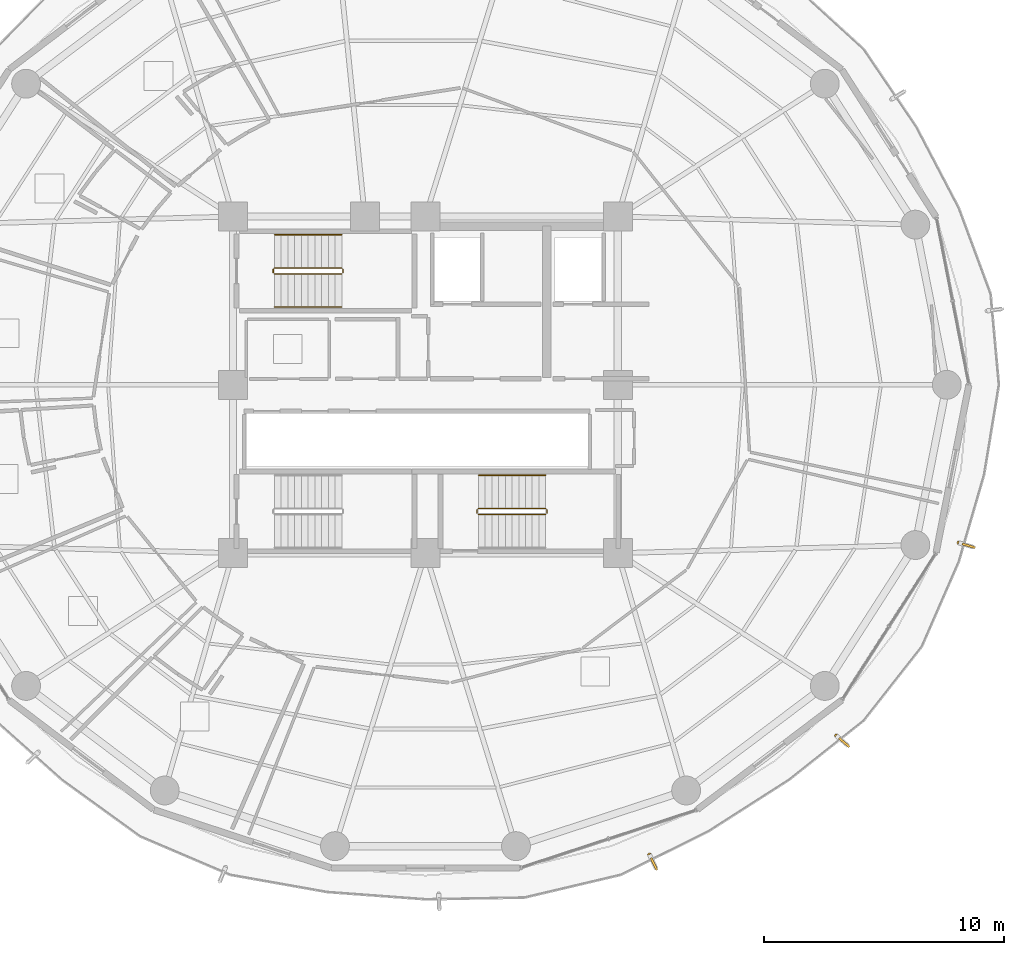
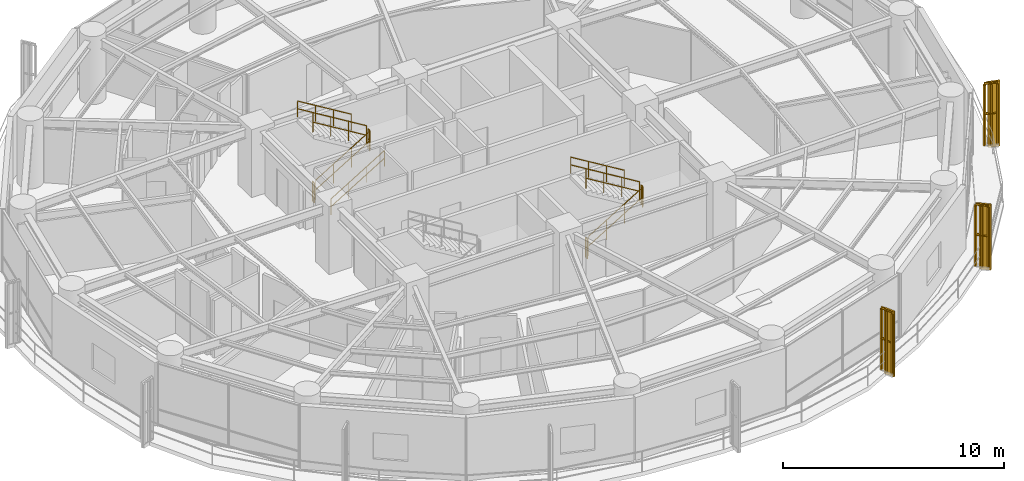
# One storey, part 26 of 27: 14 railings, 3 shading devices.
"""IFC4 building model written with IfcOpenShell, lengths in metres."""

from ifc_helpers import new_model, si_unit, direction, frame, origin, origin_2d, place, context, subcontext, project, spatial, polyline, rectangle, outline, extrude, source, transform, mapped, material, type_object, element, save


model = new_model("IFC4")

# Units and contexts
model_context = context("Model", 3, precision=1e-05, world=origin(), true_north=direction((0.0, 1.0)))
body_context = subcontext(model_context, "Body", "Model", "MODEL_VIEW")
ifc_project = project(units=[si_unit("LENGTHUNIT", "METRE"), si_unit("AREAUNIT", "SQUARE_METRE"), si_unit("VOLUMEUNIT", "CUBIC_METRE"), si_unit("PLANEANGLEUNIT", "RADIAN"), si_unit("MASSUNIT", "GRAM", prefix="KILO")], contexts=[model_context])

# Site, building, storey
site_placement = place(None, origin())
site = spatial("IfcSite", under=ifc_project, at=site_placement, CompositionType="ELEMENT")
building_placement = place(site_placement, origin())
building = spatial("IfcBuilding", under=site, at=building_placement, Name="Kelanora Arch Commons", CompositionType="ELEMENT")
storey_placement = place(building_placement, frame((0.0, 0.0, 150.60009765625)))
storey = spatial("IfcBuildingStorey", under=building, at=storey_placement, Name="L38", CompositionType="ELEMENT", Elevation=150.60009765625)

# Railings
ifc_material_1 = material(Name="Anodised bronze vertical shading fin rib assembly")
railing_type_1 = type_object("IfcRailingType", Name="RAIL-FIN-BRZ", PredefinedType="BALUSTRADE", material=ifc_material_1)
railing_1_placement = place(storey_placement, frame((83.316650390625, 38.46630859375, -0.02001953125)))
element("IfcRailing", 1, at=railing_1_placement, inside=storey, type_object=railing_type_1, Name="Sweeping Bronze Vertical Fin Blade L38-12", PredefinedType="BALUSTRADE", context=body_context, shape_type="SweptSolid", body=[
    extrude(outline(polyline([(0.06982421875, 0.0), (0.034912109375, 0.060546875), (-0.034912109375, 0.060546875), (-0.06982421875, 0.0), (-0.034912109375, -0.060546875), (0.034912109375, -0.060546875), (0.06982421875, 0.0)])), frame((0.0, 0.0, 3.419921875), z_axis=(0.430410870621, -0.902633082959, 0.0), x_axis=(0.902633082959, 0.430410870621, 0.0)), (0.0, 0.0, 1.0), 0.595703125),
    extrude(outline(polyline([(0.06982421875, 0.0), (0.034912109375, 0.060546875), (-0.034912109375, 0.060546875), (-0.06982421875, 0.0), (-0.034912109375, -0.060546875), (0.034912109375, -0.060546875), (0.06982421875, 0.0)])), frame((0.0, 0.0, 1.7451171875), z_axis=(0.430410870621, -0.902633082959, 0.0), x_axis=(0.902633082959, 0.430410870621, 0.0)), (0.0, 0.0, 1.0), 0.595703125),
    extrude(outline(polyline([(0.080078125, 0.0), (0.0400390625, 0.0693359375), (-0.0400390625, 0.0693359375), (-0.080078125, 0.0), (-0.0400390625, -0.0693359375), (0.0400390625, -0.0693359375), (0.080078125, 0.0)])), origin(), (0.0, 0.0, 1.0), 3.35009765625),
    extrude(outline(polyline([(0.080078125, 0.0), (0.0400390625, 0.0693359375), (-0.0400390625, 0.0693359375), (-0.080078125, 0.0), (-0.0400390625, -0.0693359375), (0.0400390625, -0.0693359375), (0.080078125, 0.0)])), frame((0.128173828125, -0.268798828125, 0.0)), (0.0, 0.0, 1.0), 3.35009765625),
    extrude(outline(polyline([(0.080078125, 0.0), (0.0400390625, 0.0693359375), (-0.0400390625, 0.0693359375), (-0.080078125, 0.0), (-0.0400390625, -0.0693359375), (0.0400390625, -0.0693359375), (0.080078125, 0.0)])), frame((0.25634765625, -0.53759765625, 0.0)), (0.0, 0.0, 1.0), 3.35009765625),
])
railing_2_placement = place(storey_placement, frame((91.08154296875, 43.410400390625, -0.02001953125)))
element("IfcRailing", 2, at=railing_2_placement, inside=storey, type_object=railing_type_1, Name="Sweeping Bronze Vertical Fin Blade L38-13", PredefinedType="BALUSTRADE", context=body_context, shape_type="SweptSolid", body=[
    extrude(outline(polyline([(0.06982421875, 0.0), (0.034912109375, 0.060546875), (-0.034912109375, 0.060546875), (-0.06982421875, 0.0), (-0.034912109375, -0.060546875), (0.034912109375, -0.060546875), (0.06982421875, 0.0)])), frame((0.0, 0.0, 3.419921875), z_axis=(0.760297727503, -0.649574757479, 0.0), x_axis=(0.649574757479, 0.760297727503, 0.0)), (0.0, 0.0, 1.0), 0.595458984375),
    extrude(outline(polyline([(0.06982421875, 0.0), (0.034912109375, 0.060546875), (-0.034912109375, 0.060546875), (-0.06982421875, 0.0), (-0.034912109375, -0.060546875), (0.034912109375, -0.060546875), (0.06982421875, 0.0)])), frame((0.0, 0.0, 1.7451171875), z_axis=(0.760297727503, -0.649574757479, 0.0), x_axis=(0.649574757479, 0.760297727503, 0.0)), (0.0, 0.0, 1.0), 0.595458984375),
    extrude(outline(polyline([(0.080078125, 0.0), (0.0400390625, 0.0693359375), (-0.0400390625, 0.0693359375), (-0.080078125, 0.0), (-0.0400390625, -0.0693359375), (0.0400390625, -0.0693359375), (0.080078125, 0.0)])), origin(), (0.0, 0.0, 1.0), 3.35009765625),
    extrude(outline(polyline([(0.080078125, 0.0), (0.0400390625, 0.0693359375), (-0.0400390625, 0.0693359375), (-0.080078125, 0.0), (-0.0400390625, -0.0693359375), (0.0400390625, -0.0693359375), (0.080078125, 0.0)])), frame((0.226318359375, -0.193359375, 0.0)), (0.0, 0.0, 1.0), 3.35009765625),
    extrude(outline(polyline([(0.080078125, 0.0), (0.0400390625, 0.0693359375), (-0.0400390625, 0.0693359375), (-0.080078125, 0.0), (-0.0400390625, -0.0693359375), (0.0400390625, -0.0693359375), (0.080078125, 0.0)])), frame((0.45263671875, -0.38671875, 0.0)), (0.0, 0.0, 1.0), 3.35009765625),
])
railing_3_placement = place(storey_placement, frame((96.17431640625, 51.431396484375, -0.02001953125)))
element("IfcRailing", 3, at=railing_3_placement, inside=storey, type_object=railing_type_1, Name="Sweeping Bronze Vertical Fin Blade L38-14", PredefinedType="BALUSTRADE", context=body_context, shape_type="SweptSolid", body=[
    extrude(outline(polyline([(0.06982421875, 0.0), (0.034912109375, 0.060546875), (-0.034912109375, 0.060546875), (-0.06982421875, 0.0), (-0.034912109375, -0.060546875), (0.034912109375, -0.060546875), (0.06982421875, 0.0)])), frame((0.0, 0.0, 3.419921875), z_axis=(0.958769148672, -0.284186065026, 0.0), x_axis=(0.284186065026, 0.958769148672, 0.0)), (0.0, 0.0, 1.0), 0.595458984375),
    extrude(outline(polyline([(0.06982421875, 0.0), (0.034912109375, 0.060546875), (-0.034912109375, 0.060546875), (-0.06982421875, 0.0), (-0.034912109375, -0.060546875), (0.034912109375, -0.060546875), (0.06982421875, 0.0)])), frame((0.0, 0.0, 1.7451171875), z_axis=(0.958769148672, -0.284186065026, 0.0), x_axis=(0.284186065026, 0.958769148672, 0.0)), (0.0, 0.0, 1.0), 0.595458984375),
    extrude(outline(polyline([(0.080078125, 0.0), (0.0400390625, 0.0693359375), (-0.0400390625, 0.0693359375), (-0.080078125, 0.0), (-0.0400390625, -0.0693359375), (0.0400390625, -0.0693359375), (0.080078125, 0.0)])), origin(), (0.0, 0.0, 1.0), 3.35009765625),
    extrude(outline(polyline([(0.080078125, 0.0), (0.0400390625, 0.0693359375), (-0.0400390625, 0.0693359375), (-0.080078125, 0.0), (-0.0400390625, -0.0693359375), (0.0400390625, -0.0693359375), (0.080078125, 0.0)])), frame((0.285400390625, -0.08447265625, 0.0)), (0.0, 0.0, 1.0), 3.35009765625),
    extrude(outline(polyline([(0.080078125, 0.0), (0.0400390625, 0.0693359375), (-0.0400390625, 0.0693359375), (-0.080078125, 0.0), (-0.0400390625, -0.0693359375), (0.0400390625, -0.0693359375), (0.080078125, 0.0)])), frame((0.57080078125, -0.169189453125, 0.0)), (0.0, 0.0, 1.0), 3.35009765625),
])
ifc_material_2 = material(Name="Painted steel stair well guard", Category="steel")
railing_type_2 = type_object("IfcRailingType", Name="RAIL-STAIR-GRD", PredefinedType="GUARDRAIL", material=ifc_material_2)
railing_4_placement = place(storey_placement, frame((67.719970703125, 62.610107421875, 0.17041015625)))
element("IfcRailing", 4, at=railing_4_placement, inside=storey, type_object=railing_type_2, Name="L38 ST-T1 stair guard 1", PredefinedType="GUARDRAIL", context=body_context, shape_type="SweptSolid", body=[
    extrude(outline(polyline([(0.02392578125, 0.0), (0.011962890625, 0.020751953125), (-0.011962890625, 0.020751953125), (-0.02392578125, 0.0), (-0.011962890625, -0.020751953125), (0.011962890625, -0.020751953125), (0.02392578125, 0.0)])), frame((0.0, 0.0, 1.076171875), z_axis=(0.854169791009, 0.0, 0.51999420009), x_axis=(0.0, 1.0, 0.0)), (0.0, 0.0, 1.0), 3.278076171875),
    extrude(outline(polyline([(0.02392578125, 0.0), (0.011962890625, 0.020751953125), (-0.011962890625, 0.020751953125), (-0.02392578125, 0.0), (-0.011962890625, -0.020751953125), (0.011962890625, -0.020751953125), (0.02392578125, 0.0)])), frame((0.0, 0.0, 0.550048828125), z_axis=(0.854169791009, 0.0, 0.51999420009), x_axis=(0.0, 1.0, 0.0)), (0.0, 0.0, 1.0), 3.278076171875),
    extrude(outline(polyline([(0.02099609375, 0.0), (0.010498046875, 0.01806640625), (-0.010498046875, 0.01806640625), (-0.02099609375, 0.0), (-0.010498046875, -0.01806640625), (0.010498046875, -0.01806640625), (0.02099609375, 0.0)])), origin(), (0.0, 0.0, 1.0), 1.052001953125),
    extrude(outline(polyline([(0.02099609375, 0.0), (0.010498046875, 0.01806640625), (-0.010498046875, 0.01806640625), (-0.02099609375, 0.0), (-0.010498046875, -0.01806640625), (0.010498046875, -0.01806640625), (0.02099609375, 0.0)])), frame((0.933349609375, 0.0, 0.568115234375)), (0.0, 0.0, 1.0), 1.052001953125),
    extrude(outline(polyline([(0.02099609375, 0.0), (0.010498046875, 0.01806640625), (-0.010498046875, 0.01806640625), (-0.02099609375, 0.0), (-0.010498046875, -0.01806640625), (0.010498046875, -0.01806640625), (0.02099609375, 0.0)])), frame((1.86669921875, 0.0, 1.136474609375)), (0.0, 0.0, 1.0), 1.052001953125),
    extrude(outline(polyline([(0.02099609375, 0.0), (0.010498046875, 0.01806640625), (-0.010498046875, 0.01806640625), (-0.02099609375, 0.0), (-0.010498046875, -0.01806640625), (0.010498046875, -0.01806640625), (0.02099609375, 0.0)])), frame((2.800048828125, 0.0, 1.70458984375)), (0.0, 0.0, 1.0), 1.052001953125),
])
railing_5_placement = place(storey_placement, frame((70.570068359375, 62.659912109375, 1.875)))
element("IfcRailing", 5, at=railing_5_placement, inside=storey, type_object=railing_type_2, Name="L38 ST-T1 stair guard 2", PredefinedType="GUARDRAIL", context=body_context, shape_type="SweptSolid", body=[
    extrude(outline(polyline([(0.02392578125, 0.0), (0.011962890625, 0.020751953125), (-0.011962890625, 0.020751953125), (-0.02392578125, 0.0), (-0.011962890625, -0.020751953125), (0.011962890625, -0.020751953125), (0.02392578125, 0.0)])), frame((0.0, 0.0, 1.076171875), z_axis=(0.0, 1.0, 0.0), x_axis=(-1.0, 0.0, 0.0)), (0.0, 0.0, 1.0), 0.150146484375),
    extrude(outline(polyline([(0.02392578125, 0.0), (0.011962890625, 0.020751953125), (-0.011962890625, 0.020751953125), (-0.02392578125, 0.0), (-0.011962890625, -0.020751953125), (0.011962890625, -0.020751953125), (0.02392578125, 0.0)])), frame((0.0, 0.0, 0.550048828125), z_axis=(0.0, 1.0, 0.0), x_axis=(-1.0, 0.0, 0.0)), (0.0, 0.0, 1.0), 0.150146484375),
    extrude(outline(polyline([(0.02099609375, 0.0), (0.010498046875, 0.01806640625), (-0.010498046875, 0.01806640625), (-0.02099609375, 0.0), (-0.010498046875, -0.01806640625), (0.010498046875, -0.01806640625), (0.02099609375, 0.0)])), origin(), (0.0, 0.0, 1.0), 1.052001953125),
    extrude(outline(polyline([(0.02099609375, 0.0), (0.010498046875, 0.01806640625), (-0.010498046875, 0.01806640625), (-0.02099609375, 0.0), (-0.010498046875, -0.01806640625), (0.010498046875, -0.01806640625), (0.02099609375, 0.0)])), frame((0.0, 0.150146484375, 0.0)), (0.0, 0.0, 1.0), 1.052001953125),
])
railing_6_placement = place(storey_placement, frame((70.52001953125, 62.860107421875, 2.04541015625)))
element("IfcRailing", 6, at=railing_6_placement, inside=storey, type_object=railing_type_2, Name="L38 ST-T1 stair guard 3", PredefinedType="GUARDRAIL", context=body_context, shape_type="SweptSolid", body=[
    extrude(outline(polyline([(0.02392578125, 0.0), (0.011962890625, 0.020751953125), (-0.011962890625, 0.020751953125), (-0.02392578125, 0.0), (-0.011962890625, -0.020751953125), (0.011962890625, -0.020751953125), (0.02392578125, 0.0)])), frame((0.0, 0.0, 1.076171875), z_axis=(-0.854169791009, 0.0, 0.51999420009), x_axis=(0.0, -1.0, 0.0)), (0.0, 0.0, 1.0), 3.278076171875),
    extrude(outline(polyline([(0.02392578125, 0.0), (0.011962890625, 0.020751953125), (-0.011962890625, 0.020751953125), (-0.02392578125, 0.0), (-0.011962890625, -0.020751953125), (0.011962890625, -0.020751953125), (0.02392578125, 0.0)])), frame((0.0, 0.0, 0.550048828125), z_axis=(-0.854169791009, 0.0, 0.51999420009), x_axis=(0.0, -1.0, 0.0)), (0.0, 0.0, 1.0), 3.278076171875),
    extrude(outline(polyline([(0.02099609375, 0.0), (0.010498046875, 0.01806640625), (-0.010498046875, 0.01806640625), (-0.02099609375, 0.0), (-0.010498046875, -0.01806640625), (0.010498046875, -0.01806640625), (0.02099609375, 0.0)])), origin(), (0.0, 0.0, 1.0), 1.052001953125),
    extrude(outline(polyline([(0.02099609375, 0.0), (0.010498046875, 0.01806640625), (-0.010498046875, 0.01806640625), (-0.02099609375, 0.0), (-0.010498046875, -0.01806640625), (0.010498046875, -0.01806640625), (0.02099609375, 0.0)])), frame((-0.933349609375, 0.0, 0.568115234375)), (0.0, 0.0, 1.0), 1.052001953125),
    extrude(outline(polyline([(0.02099609375, 0.0), (0.010498046875, 0.01806640625), (-0.010498046875, 0.01806640625), (-0.02099609375, 0.0), (-0.010498046875, -0.01806640625), (0.010498046875, -0.01806640625), (0.02099609375, 0.0)])), frame((-1.86669921875, 0.0, 1.136474609375)), (0.0, 0.0, 1.0), 1.052001953125),
    extrude(outline(polyline([(0.02099609375, 0.0), (0.010498046875, 0.01806640625), (-0.010498046875, 0.01806640625), (-0.02099609375, 0.0), (-0.010498046875, -0.01806640625), (0.010498046875, -0.01806640625), (0.02099609375, 0.0)])), frame((-2.800048828125, 0.0, 1.70458984375)), (0.0, 0.0, 1.0), 1.052001953125),
])
railing_7_placement = place(storey_placement, frame((67.669921875, 62.659912109375, 0.0)))
element("IfcRailing", 7, at=railing_7_placement, inside=storey, type_object=railing_type_2, Name="L38 ST-T1 stair guard 4", PredefinedType="GUARDRAIL", context=body_context, shape_type="SweptSolid", body=[
    extrude(outline(polyline([(0.02392578125, 0.0), (0.011962890625, 0.020751953125), (-0.011962890625, 0.020751953125), (-0.02392578125, 0.0), (-0.011962890625, -0.020751953125), (0.011962890625, -0.020751953125), (0.02392578125, 0.0)])), frame((0.0, 0.0, 1.076171875), z_axis=(0.0, 1.0, 0.0), x_axis=(-1.0, 0.0, 0.0)), (0.0, 0.0, 1.0), 0.150146484375),
    extrude(outline(polyline([(0.02392578125, 0.0), (0.011962890625, 0.020751953125), (-0.011962890625, 0.020751953125), (-0.02392578125, 0.0), (-0.011962890625, -0.020751953125), (0.011962890625, -0.020751953125), (0.02392578125, 0.0)])), frame((0.0, 0.0, 0.550048828125), z_axis=(0.0, 1.0, 0.0), x_axis=(-1.0, 0.0, 0.0)), (0.0, 0.0, 1.0), 0.150146484375),
    extrude(outline(polyline([(0.02099609375, 0.0), (0.010498046875, 0.01806640625), (-0.010498046875, 0.01806640625), (-0.02099609375, 0.0), (-0.010498046875, -0.01806640625), (0.010498046875, -0.01806640625), (0.02099609375, 0.0)])), origin(), (0.0, 0.0, 1.0), 1.052001953125),
    extrude(outline(polyline([(0.02099609375, 0.0), (0.010498046875, 0.01806640625), (-0.010498046875, 0.01806640625), (-0.02099609375, 0.0), (-0.010498046875, -0.01806640625), (0.010498046875, -0.01806640625), (0.02099609375, 0.0)])), frame((0.0, 0.150146484375, 0.0)), (0.0, 0.0, 1.0), 1.052001953125),
])
railing_8_placement = place(storey_placement, frame((76.199951171875, 52.610107421875, 0.17041015625)))
element("IfcRailing", 8, at=railing_8_placement, inside=storey, type_object=railing_type_2, Name="L38 ST-T2 stair guard 1", PredefinedType="GUARDRAIL", context=body_context, shape_type="SweptSolid", body=[
    extrude(outline(polyline([(0.02392578125, 0.0), (0.011962890625, 0.020751953125), (-0.011962890625, 0.020751953125), (-0.02392578125, 0.0), (-0.011962890625, -0.020751953125), (0.011962890625, -0.020751953125), (0.02392578125, 0.0)])), frame((0.0, 0.0, 1.076171875), z_axis=(0.854169791009, 0.0, 0.51999420009), x_axis=(0.0, 1.0, 0.0)), (0.0, 0.0, 1.0), 3.278076171875),
    extrude(outline(polyline([(0.02392578125, 0.0), (0.011962890625, 0.020751953125), (-0.011962890625, 0.020751953125), (-0.02392578125, 0.0), (-0.011962890625, -0.020751953125), (0.011962890625, -0.020751953125), (0.02392578125, 0.0)])), frame((0.0, 0.0, 0.550048828125), z_axis=(0.854169791009, 0.0, 0.51999420009), x_axis=(0.0, 1.0, 0.0)), (0.0, 0.0, 1.0), 3.278076171875),
    extrude(outline(polyline([(0.02099609375, 0.0), (0.010498046875, 0.01806640625), (-0.010498046875, 0.01806640625), (-0.02099609375, 0.0), (-0.010498046875, -0.01806640625), (0.010498046875, -0.01806640625), (0.02099609375, 0.0)])), origin(), (0.0, 0.0, 1.0), 1.052001953125),
    extrude(outline(polyline([(0.02099609375, 0.0), (0.010498046875, 0.01806640625), (-0.010498046875, 0.01806640625), (-0.02099609375, 0.0), (-0.010498046875, -0.01806640625), (0.010498046875, -0.01806640625), (0.02099609375, 0.0)])), frame((0.933349609375, 0.0, 0.568115234375)), (0.0, 0.0, 1.0), 1.052001953125),
    extrude(outline(polyline([(0.02099609375, 0.0), (0.010498046875, 0.01806640625), (-0.010498046875, 0.01806640625), (-0.02099609375, 0.0), (-0.010498046875, -0.01806640625), (0.010498046875, -0.01806640625), (0.02099609375, 0.0)])), frame((1.86669921875, 0.0, 1.136474609375)), (0.0, 0.0, 1.0), 1.052001953125),
    extrude(outline(polyline([(0.02099609375, 0.0), (0.010498046875, 0.01806640625), (-0.010498046875, 0.01806640625), (-0.02099609375, 0.0), (-0.010498046875, -0.01806640625), (0.010498046875, -0.01806640625), (0.02099609375, 0.0)])), frame((2.800048828125, 0.0, 1.70458984375)), (0.0, 0.0, 1.0), 1.052001953125),
])
railing_9_placement = place(storey_placement, frame((79.050048828125, 52.659912109375, 1.875)))
element("IfcRailing", 9, at=railing_9_placement, inside=storey, type_object=railing_type_2, Name="L38 ST-T2 stair guard 2", PredefinedType="GUARDRAIL", context=body_context, shape_type="SweptSolid", body=[
    extrude(outline(polyline([(0.02392578125, 0.0), (0.011962890625, 0.020751953125), (-0.011962890625, 0.020751953125), (-0.02392578125, 0.0), (-0.011962890625, -0.020751953125), (0.011962890625, -0.020751953125), (0.02392578125, 0.0)])), frame((0.0, 0.0, 1.076171875), z_axis=(0.0, 1.0, 0.0), x_axis=(-1.0, 0.0, 0.0)), (0.0, 0.0, 1.0), 0.150146484375),
    extrude(outline(polyline([(0.02392578125, 0.0), (0.011962890625, 0.020751953125), (-0.011962890625, 0.020751953125), (-0.02392578125, 0.0), (-0.011962890625, -0.020751953125), (0.011962890625, -0.020751953125), (0.02392578125, 0.0)])), frame((0.0, 0.0, 0.550048828125), z_axis=(0.0, 1.0, 0.0), x_axis=(-1.0, 0.0, 0.0)), (0.0, 0.0, 1.0), 0.150146484375),
    extrude(outline(polyline([(0.02099609375, 0.0), (0.010498046875, 0.01806640625), (-0.010498046875, 0.01806640625), (-0.02099609375, 0.0), (-0.010498046875, -0.01806640625), (0.010498046875, -0.01806640625), (0.02099609375, 0.0)])), origin(), (0.0, 0.0, 1.0), 1.052001953125),
    extrude(outline(polyline([(0.02099609375, 0.0), (0.010498046875, 0.01806640625), (-0.010498046875, 0.01806640625), (-0.02099609375, 0.0), (-0.010498046875, -0.01806640625), (0.010498046875, -0.01806640625), (0.02099609375, 0.0)])), frame((0.0, 0.150146484375, 0.0)), (0.0, 0.0, 1.0), 1.052001953125),
])
railing_10_placement = place(storey_placement, frame((79.0, 52.860107421875, 2.04541015625)))
element("IfcRailing", 10, at=railing_10_placement, inside=storey, type_object=railing_type_2, Name="L38 ST-T2 stair guard 3", PredefinedType="GUARDRAIL", context=body_context, shape_type="SweptSolid", body=[
    extrude(outline(polyline([(0.02392578125, 0.0), (0.011962890625, 0.020751953125), (-0.011962890625, 0.020751953125), (-0.02392578125, 0.0), (-0.011962890625, -0.020751953125), (0.011962890625, -0.020751953125), (0.02392578125, 0.0)])), frame((0.0, 0.0, 1.076171875), z_axis=(-0.854169791009, 0.0, 0.51999420009), x_axis=(0.0, -1.0, 0.0)), (0.0, 0.0, 1.0), 3.278076171875),
    extrude(outline(polyline([(0.02392578125, 0.0), (0.011962890625, 0.020751953125), (-0.011962890625, 0.020751953125), (-0.02392578125, 0.0), (-0.011962890625, -0.020751953125), (0.011962890625, -0.020751953125), (0.02392578125, 0.0)])), frame((0.0, 0.0, 0.550048828125), z_axis=(-0.854169791009, 0.0, 0.51999420009), x_axis=(0.0, -1.0, 0.0)), (0.0, 0.0, 1.0), 3.278076171875),
    extrude(outline(polyline([(0.02099609375, 0.0), (0.010498046875, 0.01806640625), (-0.010498046875, 0.01806640625), (-0.02099609375, 0.0), (-0.010498046875, -0.01806640625), (0.010498046875, -0.01806640625), (0.02099609375, 0.0)])), origin(), (0.0, 0.0, 1.0), 1.052001953125),
    extrude(outline(polyline([(0.02099609375, 0.0), (0.010498046875, 0.01806640625), (-0.010498046875, 0.01806640625), (-0.02099609375, 0.0), (-0.010498046875, -0.01806640625), (0.010498046875, -0.01806640625), (0.02099609375, 0.0)])), frame((-0.933349609375, 0.0, 0.568115234375)), (0.0, 0.0, 1.0), 1.052001953125),
    extrude(outline(polyline([(0.02099609375, 0.0), (0.010498046875, 0.01806640625), (-0.010498046875, 0.01806640625), (-0.02099609375, 0.0), (-0.010498046875, -0.01806640625), (0.010498046875, -0.01806640625), (0.02099609375, 0.0)])), frame((-1.86669921875, 0.0, 1.136474609375)), (0.0, 0.0, 1.0), 1.052001953125),
    extrude(outline(polyline([(0.02099609375, 0.0), (0.010498046875, 0.01806640625), (-0.010498046875, 0.01806640625), (-0.02099609375, 0.0), (-0.010498046875, -0.01806640625), (0.010498046875, -0.01806640625), (0.02099609375, 0.0)])), frame((-2.800048828125, 0.0, 1.70458984375)), (0.0, 0.0, 1.0), 1.052001953125),
])
railing_11_placement = place(storey_placement, frame((76.14990234375, 52.659912109375, 0.0)))
element("IfcRailing", 11, at=railing_11_placement, inside=storey, type_object=railing_type_2, Name="L38 ST-T2 stair guard 4", PredefinedType="GUARDRAIL", context=body_context, shape_type="SweptSolid", body=[
    extrude(outline(polyline([(0.02392578125, 0.0), (0.011962890625, 0.020751953125), (-0.011962890625, 0.020751953125), (-0.02392578125, 0.0), (-0.011962890625, -0.020751953125), (0.011962890625, -0.020751953125), (0.02392578125, 0.0)])), frame((0.0, 0.0, 1.076171875), z_axis=(0.0, 1.0, 0.0), x_axis=(-1.0, 0.0, 0.0)), (0.0, 0.0, 1.0), 0.150146484375),
    extrude(outline(polyline([(0.02392578125, 0.0), (0.011962890625, 0.020751953125), (-0.011962890625, 0.020751953125), (-0.02392578125, 0.0), (-0.011962890625, -0.020751953125), (0.011962890625, -0.020751953125), (0.02392578125, 0.0)])), frame((0.0, 0.0, 0.550048828125), z_axis=(0.0, 1.0, 0.0), x_axis=(-1.0, 0.0, 0.0)), (0.0, 0.0, 1.0), 0.150146484375),
    extrude(outline(polyline([(0.02099609375, 0.0), (0.010498046875, 0.01806640625), (-0.010498046875, 0.01806640625), (-0.02099609375, 0.0), (-0.010498046875, -0.01806640625), (0.010498046875, -0.01806640625), (0.02099609375, 0.0)])), origin(), (0.0, 0.0, 1.0), 1.052001953125),
    extrude(outline(polyline([(0.02099609375, 0.0), (0.010498046875, 0.01806640625), (-0.010498046875, 0.01806640625), (-0.02099609375, 0.0), (-0.010498046875, -0.01806640625), (0.010498046875, -0.01806640625), (0.02099609375, 0.0)])), frame((0.0, 0.150146484375, 0.0)), (0.0, 0.0, 1.0), 1.052001953125),
])
ifc_material_3 = material(Name="Brushed stainless steel stair handrail", Category="steel")
railing_type_3 = type_object("IfcRailingType", Name="RAIL-STAIR-HND", PredefinedType="HANDRAIL", material=ifc_material_3)
railing_12_placement = place(storey_placement, frame((67.719970703125, 61.22998046875, 0.17041015625)))
element("IfcRailing", 12, at=railing_12_placement, inside=storey, type_object=railing_type_3, Name="L38 ST-T1 stair handrail 1", PredefinedType="HANDRAIL", context=body_context, shape_type="SweptSolid", body=[
    extrude(outline(polyline([(0.02392578125, 0.0), (0.011962890625, 0.020751953125), (-0.011962890625, 0.020751953125), (-0.02392578125, 0.0), (-0.011962890625, -0.020751953125), (0.011962890625, -0.020751953125), (0.02392578125, 0.0)])), frame((0.0, 0.0, 0.8759765625), z_axis=(0.854169791009, 0.0, 0.51999420009), x_axis=(0.0, 1.0, 0.0)), (0.0, 0.0, 1.0), 3.278076171875),
    extrude(outline(polyline([(0.02392578125, 0.0), (0.011962890625, 0.020751953125), (-0.011962890625, 0.020751953125), (-0.02392578125, 0.0), (-0.011962890625, -0.020751953125), (0.011962890625, -0.020751953125), (0.02392578125, 0.0)])), frame((0.0, 0.0, 0.449951171875), z_axis=(0.854169791009, 0.0, 0.51999420009), x_axis=(0.0, 1.0, 0.0)), (0.0, 0.0, 1.0), 3.278076171875),
    extrude(outline(polyline([(0.02099609375, 0.0), (0.010498046875, 0.01806640625), (-0.010498046875, 0.01806640625), (-0.02099609375, 0.0), (-0.010498046875, -0.01806640625), (0.010498046875, -0.01806640625), (0.02099609375, 0.0)])), origin(), (0.0, 0.0, 1.0), 0.851806640625),
    extrude(outline(polyline([(0.02099609375, 0.0), (0.010498046875, 0.01806640625), (-0.010498046875, 0.01806640625), (-0.02099609375, 0.0), (-0.010498046875, -0.01806640625), (0.010498046875, -0.01806640625), (0.02099609375, 0.0)])), frame((0.933349609375, 0.0, 0.568115234375)), (0.0, 0.0, 1.0), 0.851806640625),
    extrude(outline(polyline([(0.02099609375, 0.0), (0.010498046875, 0.01806640625), (-0.010498046875, 0.01806640625), (-0.02099609375, 0.0), (-0.010498046875, -0.01806640625), (0.010498046875, -0.01806640625), (0.02099609375, 0.0)])), frame((1.86669921875, 0.0, 1.136474609375)), (0.0, 0.0, 1.0), 0.851806640625),
    extrude(outline(polyline([(0.02099609375, 0.0), (0.010498046875, 0.01806640625), (-0.010498046875, 0.01806640625), (-0.02099609375, 0.0), (-0.010498046875, -0.01806640625), (0.010498046875, -0.01806640625), (0.02099609375, 0.0)])), frame((2.800048828125, 0.0, 1.70458984375)), (0.0, 0.0, 1.0), 0.851806640625),
])
railing_13_placement = place(storey_placement, frame((70.52001953125, 64.239990234375, 2.04541015625)))
element("IfcRailing", 13, at=railing_13_placement, inside=storey, type_object=railing_type_3, Name="L38 ST-T1 stair handrail 2", PredefinedType="HANDRAIL", context=body_context, shape_type="SweptSolid", body=[
    extrude(outline(polyline([(0.02392578125, 0.0), (0.011962890625, 0.020751953125), (-0.011962890625, 0.020751953125), (-0.02392578125, 0.0), (-0.011962890625, -0.020751953125), (0.011962890625, -0.020751953125), (0.02392578125, 0.0)])), frame((0.0, 0.0, 0.8759765625), z_axis=(-0.854169791009, 0.0, 0.51999420009), x_axis=(0.0, -1.0, 0.0)), (0.0, 0.0, 1.0), 3.278076171875),
    extrude(outline(polyline([(0.02392578125, 0.0), (0.011962890625, 0.020751953125), (-0.011962890625, 0.020751953125), (-0.02392578125, 0.0), (-0.011962890625, -0.020751953125), (0.011962890625, -0.020751953125), (0.02392578125, 0.0)])), frame((0.0, 0.0, 0.449951171875), z_axis=(-0.854169791009, 0.0, 0.51999420009), x_axis=(0.0, -1.0, 0.0)), (0.0, 0.0, 1.0), 3.278076171875),
    extrude(outline(polyline([(0.02099609375, 0.0), (0.010498046875, 0.01806640625), (-0.010498046875, 0.01806640625), (-0.02099609375, 0.0), (-0.010498046875, -0.01806640625), (0.010498046875, -0.01806640625), (0.02099609375, 0.0)])), origin(), (0.0, 0.0, 1.0), 0.851806640625),
    extrude(outline(polyline([(0.02099609375, 0.0), (0.010498046875, 0.01806640625), (-0.010498046875, 0.01806640625), (-0.02099609375, 0.0), (-0.010498046875, -0.01806640625), (0.010498046875, -0.01806640625), (0.02099609375, 0.0)])), frame((-0.933349609375, 0.0, 0.568115234375)), (0.0, 0.0, 1.0), 0.851806640625),
    extrude(outline(polyline([(0.02099609375, 0.0), (0.010498046875, 0.01806640625), (-0.010498046875, 0.01806640625), (-0.02099609375, 0.0), (-0.010498046875, -0.01806640625), (0.010498046875, -0.01806640625), (0.02099609375, 0.0)])), frame((-1.86669921875, 0.0, 1.136474609375)), (0.0, 0.0, 1.0), 0.851806640625),
    extrude(outline(polyline([(0.02099609375, 0.0), (0.010498046875, 0.01806640625), (-0.010498046875, 0.01806640625), (-0.02099609375, 0.0), (-0.010498046875, -0.01806640625), (0.010498046875, -0.01806640625), (0.02099609375, 0.0)])), frame((-2.800048828125, 0.0, 1.70458984375)), (0.0, 0.0, 1.0), 0.851806640625),
])
railing_14_placement = place(storey_placement, frame((79.0, 54.239990234375, 2.04541015625)))
element("IfcRailing", 14, at=railing_14_placement, inside=storey, type_object=railing_type_3, Name="L38 ST-T2 stair handrail 2", PredefinedType="HANDRAIL", context=body_context, shape_type="SweptSolid", body=[
    extrude(outline(polyline([(0.02392578125, 0.0), (0.011962890625, 0.020751953125), (-0.011962890625, 0.020751953125), (-0.02392578125, 0.0), (-0.011962890625, -0.020751953125), (0.011962890625, -0.020751953125), (0.02392578125, 0.0)])), frame((0.0, 0.0, 0.8759765625), z_axis=(-0.854169791009, 0.0, 0.51999420009), x_axis=(0.0, -1.0, 0.0)), (0.0, 0.0, 1.0), 3.278076171875),
    extrude(outline(polyline([(0.02392578125, 0.0), (0.011962890625, 0.020751953125), (-0.011962890625, 0.020751953125), (-0.02392578125, 0.0), (-0.011962890625, -0.020751953125), (0.011962890625, -0.020751953125), (0.02392578125, 0.0)])), frame((0.0, 0.0, 0.449951171875), z_axis=(-0.854169791009, 0.0, 0.51999420009), x_axis=(0.0, -1.0, 0.0)), (0.0, 0.0, 1.0), 3.278076171875),
    extrude(outline(polyline([(0.02099609375, 0.0), (0.010498046875, 0.01806640625), (-0.010498046875, 0.01806640625), (-0.02099609375, 0.0), (-0.010498046875, -0.01806640625), (0.010498046875, -0.01806640625), (0.02099609375, 0.0)])), origin(), (0.0, 0.0, 1.0), 0.851806640625),
    extrude(outline(polyline([(0.02099609375, 0.0), (0.010498046875, 0.01806640625), (-0.010498046875, 0.01806640625), (-0.02099609375, 0.0), (-0.010498046875, -0.01806640625), (0.010498046875, -0.01806640625), (0.02099609375, 0.0)])), frame((-0.933349609375, 0.0, 0.568115234375)), (0.0, 0.0, 1.0), 0.851806640625),
    extrude(outline(polyline([(0.02099609375, 0.0), (0.010498046875, 0.01806640625), (-0.010498046875, 0.01806640625), (-0.02099609375, 0.0), (-0.010498046875, -0.01806640625), (0.010498046875, -0.01806640625), (0.02099609375, 0.0)])), frame((-1.86669921875, 0.0, 1.136474609375)), (0.0, 0.0, 1.0), 0.851806640625),
    extrude(outline(polyline([(0.02099609375, 0.0), (0.010498046875, 0.01806640625), (-0.010498046875, 0.01806640625), (-0.02099609375, 0.0), (-0.010498046875, -0.01806640625), (0.010498046875, -0.01806640625), (0.02099609375, 0.0)])), frame((-2.800048828125, 0.0, 1.70458984375)), (0.0, 0.0, 1.0), 0.851806640625),
])

# Shading devices
ifc_material_4 = material(Name="Terracotta ceramic-clad extruded aluminium fin", Category="masonry")
shading_device_type = type_object("IfcShadingDeviceType", Name="SHD-FIN-WAIST", PredefinedType="USERDEFINED", material=ifc_material_4)
shared_shape = source(origin(), body_context, "Body", "SweptSolid", [
    extrude(rectangle(XDim=0.56005859375, YDim=0.090087890625, at=origin_2d()), origin(), (0.0, 0.0, 1.0), 3.610107421875),
])
for number, where, z_axis, x_axis, name in (
    (15, (83.505126953125, 38.071044921875, -0.14013671875), (0.0, 0.0, 1.0), (0.430511096808, -0.90258528435, 0.0), "Sweeping Terracotta Fin L38-12"),
    (16, (91.414306640625, 43.126220703125, -0.14013671875), (0.0, 0.0, 1.0), (0.7604059656, -0.64944804833, 0.0), "Sweeping Terracotta Fin L38-13"),
    (17, (96.593994140625, 51.306884765625, -0.14013671875), (0.0, 0.0, 1.0), (0.958819734868, -0.284015344704, 0.0), "Sweeping Terracotta Fin L38-14"),
):
    element("IfcShadingDevice", number, at=place(storey_placement, frame(where, z_axis=z_axis, x_axis=x_axis)), inside=storey, type_object=shading_device_type, Name=name, ObjectType="FIN", PredefinedType="USERDEFINED", context=body_context, shape_type="MappedRepresentation", body=[
        mapped(shared_shape, transform((0.0, 0.0, 0.0), scale=1.0)),
    ])

save(model, "model.ifc")
